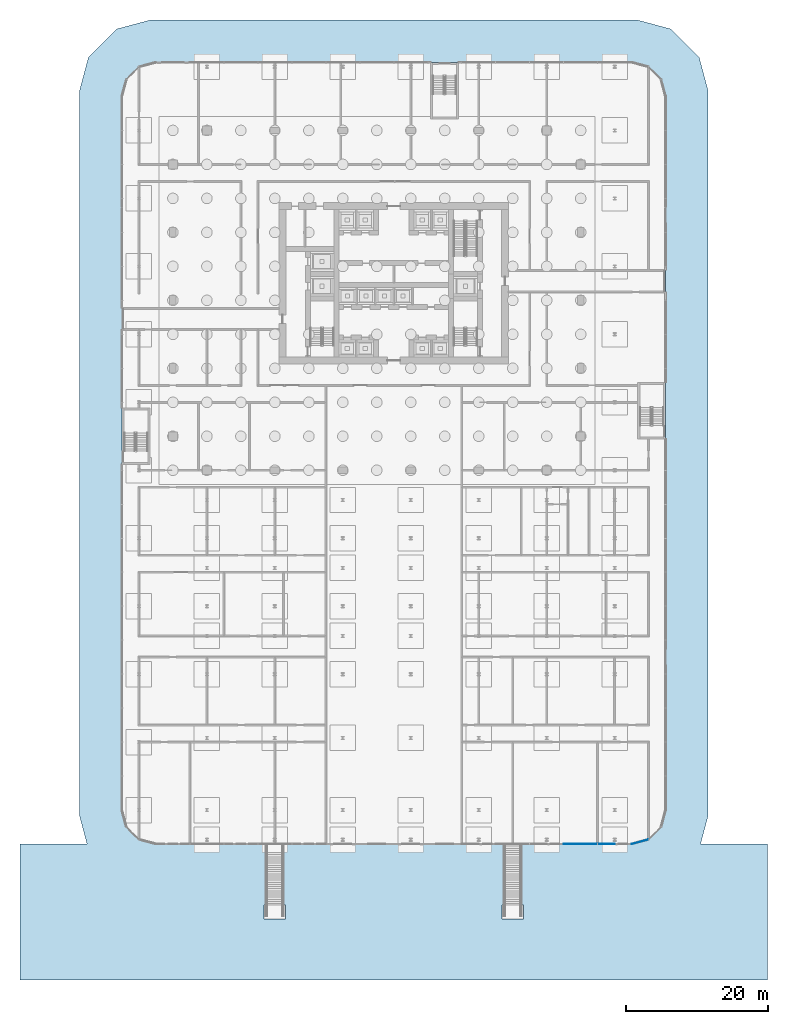
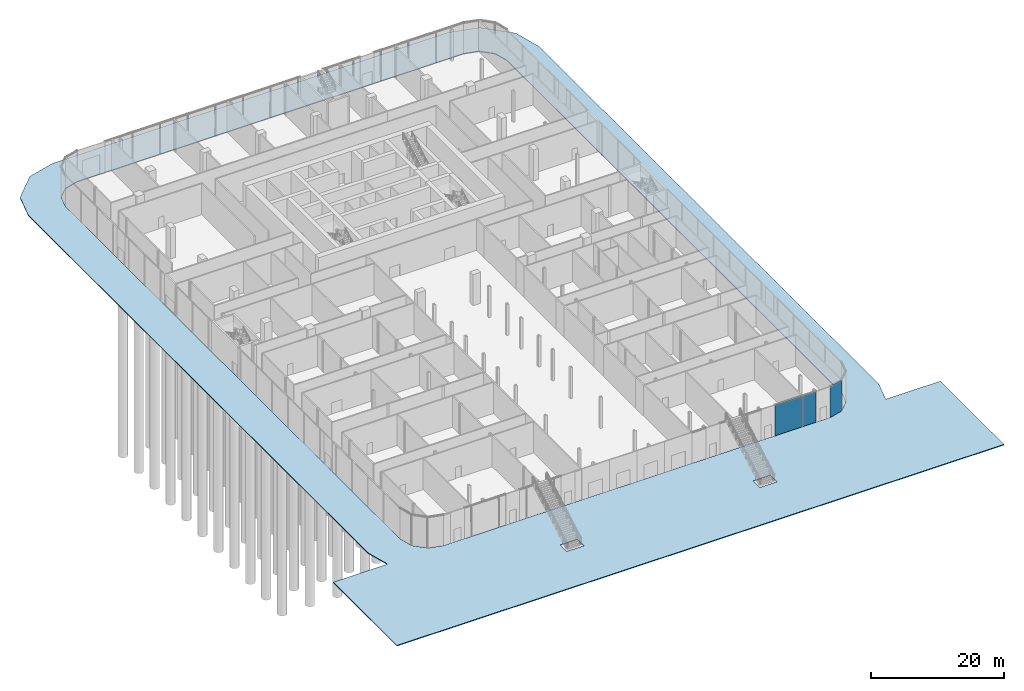
# One storey, part 21 of 44: 3 plates, 1 slab, 2 elements without a shape of their own.
"""IFC4 building model written with IfcOpenShell, lengths in metres."""

from ifc_helpers import new_model, si_unit, direction, frame, origin, origin_2d, place, context, subcontext, project, spatial, polyline, rectangle, outline, extrude, material, layer, layer_set, type_object, element, aggregate, save


model = new_model("IFC4")

# Units and contexts
model_context = context("Model", 3, precision=1e-05, world=origin(), true_north=direction((0.0, 1.0)))
body_context = subcontext(model_context, "Body", "Model", "MODEL_VIEW")
ifc_project = project(units=[si_unit("LENGTHUNIT", "METRE"), si_unit("AREAUNIT", "SQUARE_METRE"), si_unit("VOLUMEUNIT", "CUBIC_METRE"), si_unit("PLANEANGLEUNIT", "RADIAN"), si_unit("MASSUNIT", "GRAM", prefix="KILO")], contexts=[model_context])

# Site, building, storey
site_placement = place(None, origin())
site = spatial("IfcSite", under=ifc_project, at=site_placement, CompositionType="ELEMENT")
building_placement = place(site_placement, origin())
building = spatial("IfcBuilding", under=site, at=building_placement, Name="Madar Terraces", CompositionType="ELEMENT")
storey_placement = place(building_placement, origin())
storey = spatial("IfcBuildingStorey", under=building, at=storey_placement, Name="L00", CompositionType="ELEMENT", Elevation=0.0)

# Curtain wall, plates
ifc_material_1 = material(Name="Glass, clear low-iron, with black aluminium frame", Category="aluminium")
ifc_layer_1 = layer(ifc_material_1, 0.199951171875)
ifc_layer_set_1 = layer_set([ifc_layer_1], Name="Facade curtain wall, shopfront glazing")
curtain_wall_type = type_object("IfcCurtainWallType", Name="Facade curtain wall, shopfront glazing", PredefinedType="NOTDEFINED", material=ifc_layer_set_1)
curtain_wall_1_placement = place(storey_placement, origin())
curtain_wall_1 = element("IfcCurtainWall", 1, at=curtain_wall_1_placement, inside=storey, type_object=curtain_wall_type, Name="Outer skin curtain wall south bay 1", PredefinedType="NOTDEFINED")
ifc_material_2 = material(Name="Glass, ceramic frit dark grey", Category="glass")
ifc_layer_2 = layer(ifc_material_2, 0.028076171875)
ifc_layer_set_2 = layer_set([ifc_layer_2], Name="Facade glass panel 28")
plate_type = type_object("IfcPlateType", Name="Facade glass panel 28", PredefinedType="CURTAIN_PANEL", material=ifc_layer_set_2)
plate_1_placement = place(storey_placement, frame((57.5849609375, -52.800048828125, 0.0), z_axis=(0.0, 0.0, 1.0), x_axis=(1.0, 0.0, 0.0)))
plate_1 = element("IfcPlate", 2, at=plate_1_placement, type_object=plate_type, Name="Panel 12", PredefinedType="CURTAIN_PANEL", context=body_context, shape_type="SweptSolid", body=[
    extrude(rectangle(XDim=4.77001953125, YDim=0.028076171875, at=origin_2d()), origin(), (0.0, 0.0, 1.0), 5.639892578125),
])
plate_2_placement = place(storey_placement, frame((61.215087890625, -52.800048828125, 0.0), z_axis=(0.0, 0.0, 1.0), x_axis=(1.0, 0.0, 0.0)))
plate_2 = element("IfcPlate", 3, at=plate_2_placement, type_object=plate_type, Name="Panel 13", PredefinedType="CURTAIN_PANEL", context=body_context, shape_type="SweptSolid", body=[
    extrude(rectangle(XDim=2.3701171875, YDim=0.028076171875, at=origin_2d()), origin(), (0.0, 0.0, 1.0), 5.639892578125),
])
aggregate(curtain_wall_1, [plate_1, plate_2])

# Curtain wall, plate
curtain_wall_2_placement = place(storey_placement, origin())
curtain_wall_2 = element("IfcCurtainWall", 4, at=curtain_wall_2_placement, inside=storey, type_object=curtain_wall_type, Name="Outer skin curtain wall south-east corner", PredefinedType="NOTDEFINED")
plate_3_placement = place(storey_placement, frame((65.985595703125, -52.482421875, 0.0), z_axis=(0.0, 0.0, 1.0), x_axis=(0.965925832509, 0.258819021888, 0.0)))
plate_3 = element("IfcPlate", 5, at=plate_3_placement, type_object=plate_type, Name="Panel 1", PredefinedType="CURTAIN_PANEL", context=body_context, shape_type="SweptSolid", body=[
    extrude(rectangle(XDim=2.45458984375, YDim=0.028076171875, at=origin_2d()), origin(), (0.0, 0.0, 1.0), 5.639892578125),
])
aggregate(curtain_wall_2, [plate_3])

# Slab
ifc_material_3 = material(Name="Concrete C30/37", Category="concrete")
ifc_layer_3 = layer(ifc_material_3, 0.14990234375)
ifc_layer_set_3 = layer_set([ifc_layer_3], Name="Public garden paving 150")
slab_type = type_object("IfcSlabType", Name="Public garden paving 150", PredefinedType="USERDEFINED", material=ifc_layer_set_3)
slab_placement = place(storey_placement, frame((0.0, 0.0, -0.14990234375)))
element("IfcSlab", 6, at=slab_placement, inside=storey, type_object=slab_type, Name="Public garden paving", ObjectType="PAVING", PredefinedType="USERDEFINED", context=body_context, shape_type="SweptSolid", body=[
    extrude(outline(polyline([(84.0, -72.0), (-21.60009765625, -72.0), (-21.60009765625, -52.800048828125), (-12.12548828125, -52.800048828125), (-13.199951171875, -48.789794921875), (-13.199951171875, 53.58984375), (-11.936279296875, 58.305908203125), (-7.90576171875, 62.33642578125), (-3.18994140625, 63.60009765625), (65.58984375, 63.60009765625), (70.305908203125, 62.33642578125), (74.33642578125, 58.305908203125), (75.60009765625, 53.58984375), (75.60009765625, -48.789794921875), (74.525390625, -52.800048828125), (84.0, -52.800048828125), (84.0, -72.0)]), holes=[polyline([(67.199951171875, -52.156982421875), (68.956787109375, -50.39990234375), (69.60009765625, -48.0), (69.60009765625, 52.800048828125), (68.956787109375, 55.199951171875), (67.199951171875, 56.956787109375), (64.800048828125, 57.60009765625), (-2.39990234375, 57.60009765625), (-4.800048828125, 56.956787109375), (-6.556884765625, 55.199951171875), (-7.199951171875, 52.800048828125), (-7.199951171875, -48.0), (-6.556884765625, -50.39990234375), (-4.800048828125, -52.156982421875), (-2.39990234375, -52.800048828125), (64.800048828125, -52.800048828125), (67.199951171875, -52.156982421875)]), polyline([(15.89990234375, -63.39990234375), (15.89990234375, -61.39990234375), (12.89990234375, -61.39990234375), (12.89990234375, -63.39990234375), (15.89990234375, -63.39990234375)]), polyline([(46.5, -63.39990234375), (49.5, -63.39990234375), (49.5, -61.39990234375), (46.5, -61.39990234375), (46.5, -63.39990234375)])]), origin(), (0.0, 0.0, 1.0), 0.14990234375),
])

save(model, "model.ifc")
